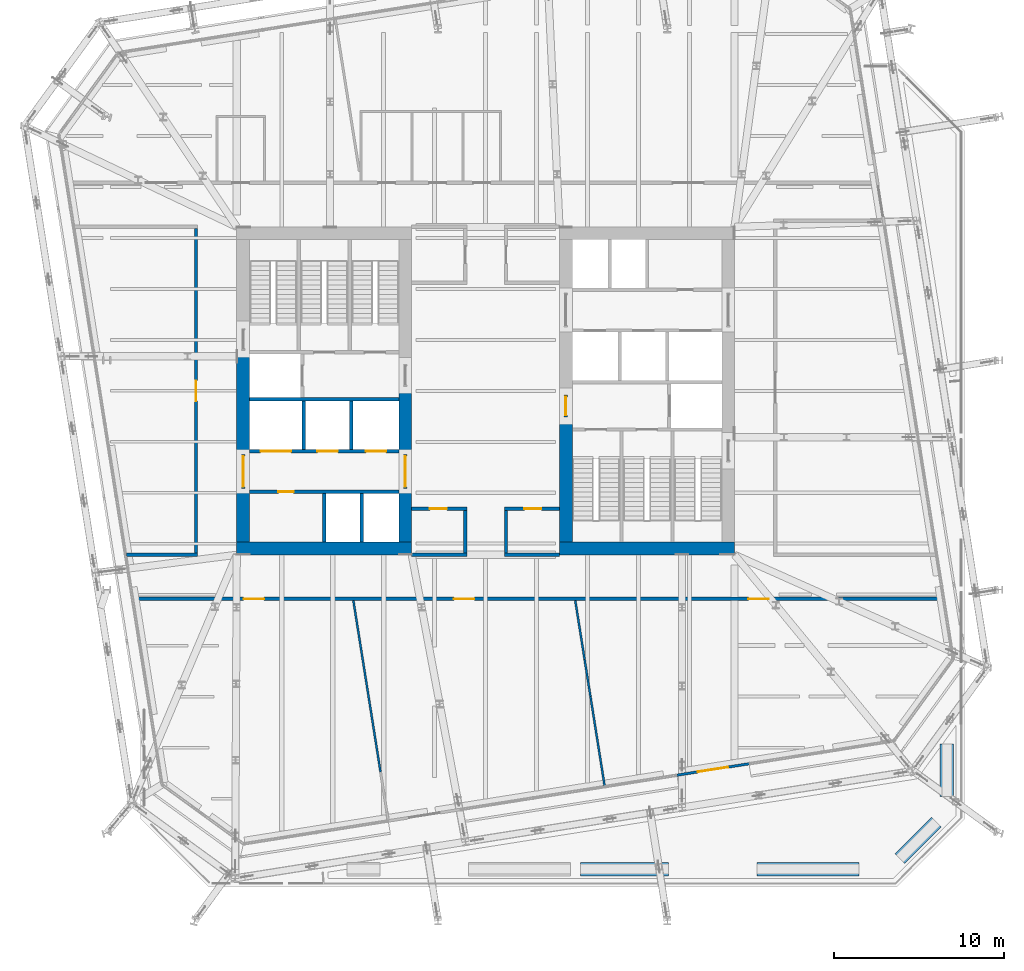
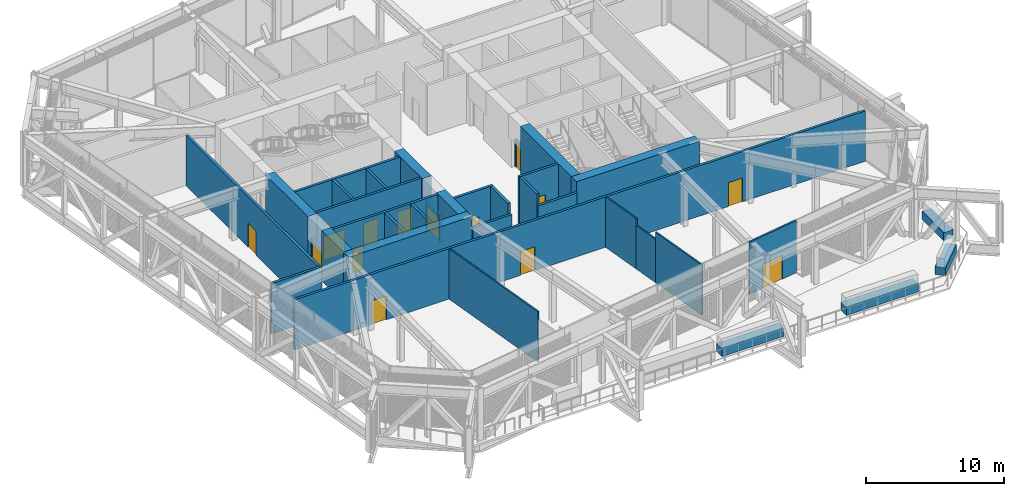
# One storey, part 19 of 32: 35 walls, 14 doors, 14 openings.
"""IFC4 building model written with IfcOpenShell, lengths in metres."""

import ifcopenshell
import ifcopenshell.guid

model = None  # the IFC model being written
_history = None  # IfcOwnerHistory: only IFC2X3 demands one
_inside = {}  # id of a spatial element -> (the spatial element, [elements in it])
_under = {}  # id of a project, library or spatial element -> (it, [spatial elements below it])
_declared = {}  # id of a project -> (the project, [libraries it declares])
_typed = {}  # id of a type object -> (the type object, [elements of that type])
_made_of = {}  # id of a material, layer set ... -> (it, [elements and type objects made of it])


def new_model(schema):
    """Start an empty IFC model of exactly this schema.

    Asked for "IFC4X3", IfcOpenShell would pick the latest addendum, in which some entities
    have other attributes; the version numbers below select the first issue.
    IFC2X3 requires an IfcOwnerHistory on every rooted entity: one is made here for all.
    """
    global model, _history
    if schema == "IFC4X3":
        model = ifcopenshell.file(schema_version=(4, 3, 0, 0))
    else:
        model = ifcopenshell.file(schema=schema)
    _inside.clear()
    _under.clear()
    _declared.clear()
    _typed.clear()
    _made_of.clear()
    _history = None
    if model.schema == "IFC2X3":
        org = make("IfcOrganization", Name="unknown")
        user = make(
            "IfcPersonAndOrganization",
            ThePerson=make("IfcPerson", FamilyName="unknown"),
            TheOrganization=org,
        )
        app = make(
            "IfcApplication",
            ApplicationDeveloper=org,
            Version="unknown",
            ApplicationFullName="unknown",
            ApplicationIdentifier="unknown",
        )
        _history = make(
            "IfcOwnerHistory",
            OwningUser=user,
            OwningApplication=app,
            ChangeAction="ADDED",
            CreationDate=0,
        )
    return model


def make(cls, **values):
    """One entity of the class cls with the attributes given. An attribute that is None is left unset."""
    return model.create_entity(
        cls, **{name: value for name, value in values.items() if value is not None}
    )


def rooted(cls, **values):
    """An entity with a GlobalId (a new one), such as an element, a storey or a relation."""
    return make(cls, GlobalId=ifcopenshell.guid.new(), OwnerHistory=_history, **values)


def si_unit(unit_type, name, prefix=None):
    """IfcSIUnit, for example si_unit("LENGTHUNIT", "METRE", prefix="MILLI")."""
    return make("IfcSIUnit", UnitType=unit_type, Prefix=prefix, Name=name)


def assignment(units):
    """IfcUnitAssignment: the units of a project."""
    return None if units is None else make("IfcUnitAssignment", Units=units)


def point(xyz):
    """IfcCartesianPoint."""
    return None if xyz is None else make("IfcCartesianPoint", Coordinates=xyz)


def direction(xyz):
    """IfcDirection."""
    return None if xyz is None else make("IfcDirection", DirectionRatios=xyz)


def frame(location, z_axis=None, x_axis=None):
    """IfcAxis2Placement3D, a coordinate frame: its origin and axes. An axis left out is left unset."""
    return make(
        "IfcAxis2Placement3D",
        Location=point(location),
        Axis=direction(z_axis),
        RefDirection=direction(x_axis),
    )


def frame_2d(location, x_axis=None):
    """IfcAxis2Placement2D, a coordinate frame in the plane: its origin and x axis."""
    return make(
        "IfcAxis2Placement2D", Location=point(location), RefDirection=direction(x_axis)
    )


def origin():
    """The frame at (0, 0, 0) with its axes left unset."""
    return frame((0.0, 0.0, 0.0))


def place(relative_to, where):
    """IfcLocalPlacement: puts the frame where relative to a parent placement (None: the world)."""
    return make(
        "IfcLocalPlacement", PlacementRelTo=relative_to, RelativePlacement=where
    )


def context(
    kind, dimensions, precision=None, world=None, true_north=None, identifier=None
):
    """IfcGeometricRepresentationContext, for example the 3D "Model" context."""
    return make(
        "IfcGeometricRepresentationContext",
        ContextIdentifier=identifier,
        ContextType=kind,
        CoordinateSpaceDimension=dimensions,
        Precision=precision,
        WorldCoordinateSystem=world,
        TrueNorth=true_north,
    )


def subcontext(parent, identifier, kind, view, scale=None):
    """IfcGeometricRepresentationSubContext, for example "Body" below "Model"."""
    return make(
        "IfcGeometricRepresentationSubContext",
        ContextIdentifier=identifier,
        ContextType=kind,
        ParentContext=parent,
        TargetScale=scale,
        TargetView=view,
    )


def project(units=None, contexts=None):
    """IfcProject with its units and contexts."""
    return rooted(
        "IfcProject",
        Name="project",
        RepresentationContexts=contexts,
        UnitsInContext=assignment(units),
    )


def spatial(cls, under=None, at=None, **own):
    """A site, building, storey or space (cls), placed at a placement, below another one or the project."""
    s = rooted(cls, ObjectPlacement=at, **own)
    if under is not None:
        _under.setdefault(under.id(), (under, []))[1].append(s)
    return s


def profile(cls, at=None, kind="AREA", **sizes):
    """A parametric profile (cls). Its sizes go by their IFC names, for example OverallWidth=200.0."""
    return make(cls, ProfileType=kind, Position=at, **sizes)


def rectangle(**sizes):
    """IfcRectangleProfileDef."""
    return profile("IfcRectangleProfileDef", **sizes)


def extrude(swept, where, along, depth):
    """IfcExtrudedAreaSolid: the profile swept, set in the frame where, extruded along a direction by depth."""
    return make(
        "IfcExtrudedAreaSolid",
        SweptArea=swept,
        Position=where,
        ExtrudedDirection=direction(along),
        Depth=depth,
    )


def shape(context_of_items, identifier, shape_type, items):
    """IfcShapeRepresentation: the items that make up one representation, for example the "Body"."""
    return make(
        "IfcShapeRepresentation",
        ContextOfItems=context_of_items,
        RepresentationIdentifier=identifier,
        RepresentationType=shape_type,
        Items=items,
    )


def material(Name=None, Category=None):
    """IfcMaterial."""
    return make("IfcMaterial", Name=Name, Category=Category)


def layer(
    of_material, thickness, ventilated=None, Name=None, Category=None, Priority=None
):
    """IfcMaterialLayer: one layer of a wall or slab, of a material (None: an air gap)."""
    return make(
        "IfcMaterialLayer",
        Material=of_material,
        LayerThickness=thickness,
        IsVentilated=ventilated,
        Name=Name,
        Category=Category,
        Priority=Priority,
    )


def layer_set(layers, Name=None):
    """IfcMaterialLayerSet."""
    return make("IfcMaterialLayerSet", MaterialLayers=layers, LayerSetName=Name)


def made_of(thing, what):
    """Note that an element or type object is made of a material, layer set ...; save() writes the relation."""
    if what is not None:
        _made_of.setdefault(what.id(), (what, []))[1].append(thing)
    return thing


def type_object(cls, material=None, **own):
    """A type object (cls), such as IfcWallType, which elements share."""
    return made_of(rooted(cls, **own), material)


def element(
    cls,
    number,
    at=None,
    inside=None,
    cuts=None,
    type_object=None,
    material=None,
    context=None,
    identifier="Body",
    shape_type=None,
    held_by="IfcProductDefinitionShape",
    body=None,
    shapes=None,
    **own,
):
    """One element of the class cls, such as IfcWall. Its Tag is "e" and its number.

    at: its placement. inside: the storey or other place that contains it. cuts: it is an
    opening in that element (IfcRelVoidsElement). A single representation is given by context,
    identifier, shape_type and body (its items); several are given by shapes. held_by: the class
    of the entity that holds the representations. save() writes the other relations.
    """
    e = rooted(cls, Tag="e%d" % number, ObjectPlacement=at, **own)
    if body is not None:
        shapes = [shape(context, identifier, shape_type, body)]
    if shapes is not None:
        e.Representation = make(held_by, Representations=shapes)
    if inside is not None:
        _inside.setdefault(inside.id(), (inside, []))[1].append(e)
    if cuts is not None:
        rooted(
            "IfcRelVoidsElement", RelatingBuildingElement=cuts, RelatedOpeningElement=e
        )
    if type_object is not None:
        _typed.setdefault(type_object.id(), (type_object, []))[1].append(e)
    return made_of(e, material)


def fill(opening, filler):
    """IfcRelFillsElement: the door or window that sits in an opening."""
    return rooted(
        "IfcRelFillsElement",
        RelatingOpeningElement=opening,
        RelatedBuildingElement=filler,
    )


def aggregate(whole, parts):
    """IfcRelAggregates: a whole, such as a stair, and the parts it consists of."""
    return rooted("IfcRelAggregates", RelatingObject=whole, RelatedObjects=parts)


def save(model, path):
    """Write the relations noted so far, then the file.

    IfcRelAggregates (storeys below a building ...), IfcRelContainedInSpatialStructure (elements
    in a storey), IfcRelDefinesByType, IfcRelAssociatesMaterial and IfcRelDeclares: one each for
    every whole, place, type object, material and project.
    """
    for whole, parts in _under.values():
        aggregate(whole, parts)
    for where, things in _inside.values():
        rooted(
            "IfcRelContainedInSpatialStructure",
            RelatedElements=things,
            RelatingStructure=where,
        )
    for kind, things in _typed.values():
        rooted("IfcRelDefinesByType", RelatedObjects=things, RelatingType=kind)
    for what, things in _made_of.values():
        rooted("IfcRelAssociatesMaterial", RelatedObjects=things, RelatingMaterial=what)
    for by, libraries in _declared.values():
        rooted("IfcRelDeclares", RelatingContext=by, RelatedDefinitions=libraries)
    model.write(path)


model = new_model("IFC4")

# Units and contexts
model_context = context("Model", 3, precision=1e-05, world=origin(), true_north=direction((0.0, 1.0)))
body_context = subcontext(model_context, "Body", "Model", "MODEL_VIEW")
ifc_project = project(units=[si_unit("LENGTHUNIT", "METRE"), si_unit("AREAUNIT", "SQUARE_METRE"), si_unit("VOLUMEUNIT", "CUBIC_METRE"), si_unit("PLANEANGLEUNIT", "RADIAN"), si_unit("MASSUNIT", "GRAM", prefix="KILO")], contexts=[model_context])

# Site, building, storey
site_placement = place(None, origin())
site = spatial("IfcSite", under=ifc_project, at=site_placement, CompositionType="ELEMENT")
building_placement = place(site_placement, origin())
building = spatial("IfcBuilding", under=site, at=building_placement, Name="Millrace Tower", CompositionType="ELEMENT")
storey_placement = place(building_placement, frame((0.0, 0.0, 124.89990234375)))
storey = spatial("IfcBuildingStorey", under=building, at=storey_placement, Name="L27", CompositionType="ELEMENT", Elevation=124.89990234375)

# Walls
ifc_material_1 = material(Name="Concrete C70", Category="concrete")
ifc_layer_1 = layer(ifc_material_1, 0.75)
ifc_layer_set_1 = layer_set([ifc_layer_1], Name="Concrete C70")
wall_type_1 = type_object("IfcWallType", Name="Core wall 750 Concrete C70", PredefinedType="SHEAR", material=ifc_layer_set_1)
wall_1_placement = place(storey_placement, frame((-14.64990234375, -9.27490234375, 0.0), z_axis=(0.0, 0.0, 1.0), x_axis=(1.0, 0.0, 0.0)))
element("IfcWall", 1, at=wall_1_placement, inside=storey, type_object=wall_type_1, Name="Core wall W L27", PredefinedType="SHEAR", context=body_context, shape_type="SweptSolid", body=[
    extrude(rectangle(XDim=10.2998046875, YDim=0.75, at=frame_2d((5.14990234375, 0.0))), origin(), (0.0, 0.0, 1.0), 4.440185546875),
])
wall_2_placement = place(storey_placement, frame((-14.27490234375, -8.89990234375, 0.0), z_axis=(0.0, 0.0, 1.0), x_axis=(0.0, 1.0, 0.0)))
element("IfcWall", 2, at=wall_2_placement, inside=storey, type_object=wall_type_1, Name="Core wall W L27", PredefinedType="SHEAR", context=body_context, shape_type="SweptSolid", body=[
    extrude(rectangle(XDim=3.14990234375, YDim=0.75, at=frame_2d((1.574951171875, 0.0))), origin(), (0.0, 0.0, 1.0), 4.440185546875),
])
wall_3_placement = place(storey_placement, frame((-14.27490234375, -3.75, 0.0), z_axis=(0.0, 0.0, 1.0), x_axis=(0.0, 1.0, 0.0)))
element("IfcWall", 3, at=wall_3_placement, inside=storey, type_object=wall_type_1, Name="Core wall W L27", PredefinedType="SHEAR", context=body_context, shape_type="SweptSolid", body=[
    extrude(rectangle(XDim=6.1298828125, YDim=0.75, at=frame_2d((3.06494140625, 0.0))), origin(), (0.0, 0.0, 1.0), 4.440185546875),
])
wall_4_placement = place(storey_placement, frame((-4.72509765625, -8.89990234375, 0.0), z_axis=(0.0, 0.0, 1.0), x_axis=(0.0, 1.0, 0.0)))
element("IfcWall", 4, at=wall_4_placement, inside=storey, type_object=wall_type_1, Name="Core wall W L27", PredefinedType="SHEAR", context=body_context, shape_type="SweptSolid", body=[
    extrude(rectangle(XDim=3.14990234375, YDim=0.75, at=frame_2d((1.574951171875, 0.0))), origin(), (0.0, 0.0, 1.0), 4.440185546875),
])
wall_5_placement = place(storey_placement, frame((-4.72509765625, -3.75, 0.0), z_axis=(0.0, 0.0, 1.0), x_axis=(0.0, 1.0, 0.0)))
element("IfcWall", 5, at=wall_5_placement, inside=storey, type_object=wall_type_1, Name="Core wall W L27", PredefinedType="SHEAR", context=body_context, shape_type="SweptSolid", body=[
    extrude(rectangle(XDim=4.0, YDim=0.75, at=frame_2d((2.0, 0.0))), origin(), (0.0, 0.0, 1.0), 4.440185546875),
])
wall_6_placement = place(storey_placement, frame((14.64990234375, -9.27490234375, 0.0), z_axis=(0.0, 0.0, 1.0), x_axis=(-1.0, 0.0, 0.0)))
element("IfcWall", 6, at=wall_6_placement, inside=storey, type_object=wall_type_1, Name="Core wall E L27", PredefinedType="SHEAR", context=body_context, shape_type="SweptSolid", body=[
    extrude(rectangle(XDim=10.2998046875, YDim=0.75, at=frame_2d((5.14990234375, 0.0))), origin(), (0.0, 0.0, 1.0), 4.440185546875),
])
wall_7_placement = place(storey_placement, frame((4.72509765625, -1.550048828125, 0.0), z_axis=(0.0, 0.0, 1.0), x_axis=(0.0, -1.0, 0.0)))
element("IfcWall", 7, at=wall_7_placement, inside=storey, type_object=wall_type_1, Name="Core wall E L27", PredefinedType="SHEAR", context=body_context, shape_type="SweptSolid", body=[
    extrude(rectangle(XDim=7.349853515625, YDim=0.75, at=frame_2d((3.6748046875, 0.0))), origin(), (0.0, 0.0, 1.0), 4.440185546875),
])

# Wall, openings, doors
ifc_material_2 = material(Name="Masonry partition, fire-rated", Category="masonry")
ifc_layer_2 = layer(ifc_material_2, 0.199951171875)
ifc_layer_set_2 = layer_set([ifc_layer_2], Name="Masonry partition, fire-rated")
wall_type_2 = type_object("IfcWallType", Name="Corridor wall 200", PredefinedType="PARTITIONING", material=ifc_layer_set_2)
wall_8_placement = place(storey_placement, frame((-20.738525390625, -12.25, 0.0), z_axis=(0.0, 0.0, 1.0), x_axis=(1.0, 0.0, 0.0)))
wall_8 = element("IfcWall", 8, at=wall_8_placement, inside=storey, type_object=wall_type_2, Name="Corridor wall L27", PredefinedType="PARTITIONING", context=body_context, shape_type="SweptSolid", body=[
    extrude(rectangle(XDim=47.646484375, YDim=0.199951171875, at=frame_2d((23.8232421875, 0.0))), origin(), (0.0, 0.0, 1.0), 4.440185546875),
])
opening_1_placement = place(wall_8_placement, frame((6.4951171875, 0.0, 0.0)))
opening_1 = element("IfcOpeningElement", 9, at=opening_1_placement, cuts=wall_8, Name="Opening 27-P009", PredefinedType="OPENING", context=body_context, shape_type="SweptSolid", body=[
    extrude(rectangle(XDim=1.199951171875, YDim=2.10009765625, at=frame_2d((0.60009765625, 1.050048828125))), frame((0.0, 0.10986328125, 0.0), z_axis=(0.0, -1.0, 0.0), x_axis=(1.0, 0.0, 0.0)), (0.0, 0.0, 1.0), 0.219970703125),
])
opening_2_placement = place(wall_8_placement, frame((18.8701171875, 0.0, 0.0)))
opening_2 = element("IfcOpeningElement", 10, at=opening_2_placement, cuts=wall_8, Name="Opening 27-P010", PredefinedType="OPENING", context=body_context, shape_type="SweptSolid", body=[
    extrude(rectangle(XDim=1.199951171875, YDim=2.10009765625, at=frame_2d((0.60009765625, 1.050048828125))), frame((0.0, 0.10986328125, 0.0), z_axis=(0.0, -1.0, 0.0), x_axis=(1.0, 0.0, 0.0)), (0.0, 0.0, 1.0), 0.219970703125),
])
opening_3_placement = place(wall_8_placement, frame((36.197998046875, 0.0, 0.0)))
opening_3 = element("IfcOpeningElement", 11, at=opening_3_placement, cuts=wall_8, Name="Opening 27-P011", PredefinedType="OPENING", context=body_context, shape_type="SweptSolid", body=[
    extrude(rectangle(XDim=1.199951171875, YDim=2.10009765625, at=frame_2d((0.60009765625, 1.050048828125))), frame((0.0, 0.10986328125, 0.0), z_axis=(0.0, -1.0, 0.0), x_axis=(1.0, 0.0, 0.0)), (0.0, 0.0, 1.0), 0.219970703125),
])
ifc_material_3 = material(Name="Steel door set, fire-rated", Category="steel")
door_type_1 = type_object("IfcDoorType", Name="Corridor door 1200 x 2100", OperationType="SINGLE_SWING_LEFT", PredefinedType="DOOR", material=ifc_material_3)
door_1_placement = place(opening_1_placement, origin())
door_1 = element("IfcDoor", 12, at=door_1_placement, inside=storey, type_object=door_type_1, Name="Door 27-P009", OperationType="SINGLE_SWING_LEFT", OverallHeight=2.10009765625, OverallWidth=1.199951171875, PredefinedType="DOOR", context=body_context, shape_type="SweptSolid", body=[
    extrude(rectangle(XDim=1.199951171875, YDim=2.10009765625, at=frame_2d((0.60009765625, 1.050048828125))), frame((0.0, 0.02490234375, 0.0), z_axis=(0.0, -1.0, 0.0), x_axis=(1.0, 0.0, 0.0)), (0.0, 0.0, 1.0), 0.050048828125),
])
fill(opening_1, door_1)
door_2_placement = place(opening_2_placement, origin())
door_2 = element("IfcDoor", 13, at=door_2_placement, inside=storey, type_object=door_type_1, Name="Door 27-P010", OperationType="SINGLE_SWING_LEFT", OverallHeight=2.10009765625, OverallWidth=1.199951171875, PredefinedType="DOOR", context=body_context, shape_type="SweptSolid", body=[
    extrude(rectangle(XDim=1.199951171875, YDim=2.10009765625, at=frame_2d((0.60009765625, 1.050048828125))), frame((0.0, 0.02490234375, 0.0), z_axis=(0.0, -1.0, 0.0), x_axis=(1.0, 0.0, 0.0)), (0.0, 0.0, 1.0), 0.050048828125),
])
fill(opening_2, door_2)
door_3_placement = place(opening_3_placement, origin())
door_3 = element("IfcDoor", 14, at=door_3_placement, inside=storey, type_object=door_type_1, Name="Door 27-P011", OperationType="SINGLE_SWING_RIGHT", OverallHeight=2.10009765625, OverallWidth=1.199951171875, PredefinedType="DOOR", context=body_context, shape_type="SweptSolid", body=[
    extrude(rectangle(XDim=1.199951171875, YDim=2.10009765625, at=frame_2d((0.60009765625, 1.050048828125))), frame((0.0, 0.02490234375, 0.0), z_axis=(0.0, -1.0, 0.0), x_axis=(1.0, 0.0, 0.0)), (0.0, 0.0, 1.0), 0.050048828125),
])
fill(opening_3, door_3)

# Walls
wall_9_placement = place(storey_placement, frame((-21.150390625, -9.64990234375, 0.0), z_axis=(0.0, 0.0, 1.0), x_axis=(1.0, 0.0, 0.0)))
element("IfcWall", 15, at=wall_9_placement, inside=storey, type_object=wall_type_2, Name="Corridor wall L27", PredefinedType="PARTITIONING", context=body_context, shape_type="SweptSolid", body=[
    extrude(rectangle(XDim=4.200439453125, YDim=0.199951171875, at=frame_2d((2.10009765625, 0.0))), origin(), (0.0, 0.0, 1.0), 4.440185546875),
])
for number, where, z_axis, x_axis, name in (
    (16, (-4.35009765625, -9.64990234375, 0.0), (0.0, 0.0, 1.0), (1.0, 0.0, 0.0), "Corridor wall L27"),
    (17, (1.10009765625, -9.64990234375, 0.0), (0.0, 0.0, 1.0), (1.0, 0.0, 0.0), "Corridor wall L27"),
):
    element("IfcWall", number, at=place(storey_placement, frame(where, z_axis=z_axis, x_axis=x_axis)), inside=storey, type_object=wall_type_2, Name=name, PredefinedType="PARTITIONING", context=body_context, shape_type="SweptSolid", body=[
        extrude(rectangle(XDim=3.25, YDim=0.199951171875, at=frame_2d((1.625, 0.0))), origin(), (0.0, 0.0, 1.0), 3.512939453125),
    ])

# Wall, opening, door
wall_10_placement = place(storey_placement, frame((-4.35009765625, -6.949951171875, 0.0), z_axis=(0.0, 0.0, 1.0), x_axis=(1.0, 0.0, 0.0)))
wall_10 = element("IfcWall", 18, at=wall_10_placement, inside=storey, type_object=wall_type_2, Name="Corridor wall L27", PredefinedType="PARTITIONING", context=body_context, shape_type="SweptSolid", body=[
    extrude(rectangle(XDim=3.25, YDim=0.199951171875, at=frame_2d((1.625, 0.0))), origin(), (0.0, 0.0, 1.0), 4.440185546875),
])
opening_4_placement = place(wall_10_placement, frame((1.074951171875, 0.0, 0.0)))
opening_4 = element("IfcOpeningElement", 19, at=opening_4_placement, cuts=wall_10, Name="Opening 27-P003", PredefinedType="OPENING", context=body_context, shape_type="SweptSolid", body=[
    extrude(rectangle(XDim=1.0, YDim=2.10009765625, at=frame_2d((0.5, 1.050048828125))), frame((0.0, 0.10986328125, 0.0), z_axis=(0.0, -1.0, 0.0), x_axis=(1.0, 0.0, 0.0)), (0.0, 0.0, 1.0), 0.219970703125),
])
ifc_material_4 = material(Name="Steel door set, fire-rated", Category="steel")
door_type_2 = type_object("IfcDoorType", Name="Corridor door 1000 x 2100", OperationType="SINGLE_SWING_LEFT", PredefinedType="DOOR", material=ifc_material_4)
door_4_placement = place(opening_4_placement, frame((1.0, 0.0, 0.0), z_axis=(0.0, 0.0, 1.0), x_axis=(-1.0, 0.0, 0.0)))
door_4 = element("IfcDoor", 20, at=door_4_placement, inside=storey, type_object=door_type_2, Name="Door 27-P003", OperationType="SINGLE_SWING_RIGHT", OverallHeight=2.10009765625, OverallWidth=1.0, PredefinedType="DOOR", context=body_context, shape_type="SweptSolid", body=[
    extrude(rectangle(XDim=1.0, YDim=2.10009765625, at=frame_2d((0.5, 1.050048828125))), frame((0.0, 0.02490234375, 0.0), z_axis=(0.0, -1.0, 0.0), x_axis=(1.0, 0.0, 0.0)), (0.0, 0.0, 1.0), 0.050048828125),
])
fill(opening_4, door_4)

wall_11_placement = place(storey_placement, frame((1.10009765625, -6.949951171875, 0.0), z_axis=(0.0, 0.0, 1.0), x_axis=(1.0, 0.0, 0.0)))
wall_11 = element("IfcWall", 21, at=wall_11_placement, inside=storey, type_object=wall_type_2, Name="Corridor wall L27", PredefinedType="PARTITIONING", context=body_context, shape_type="SweptSolid", body=[
    extrude(rectangle(XDim=3.25, YDim=0.199951171875, at=frame_2d((1.625, 0.0))), origin(), (0.0, 0.0, 1.0), 4.440185546875),
])
opening_5_placement = place(wall_11_placement, frame((1.175048828125, 0.0, 0.0)))
opening_5 = element("IfcOpeningElement", 22, at=opening_5_placement, cuts=wall_11, Name="Opening 27-P004", PredefinedType="OPENING", context=body_context, shape_type="SweptSolid", body=[
    extrude(rectangle(XDim=1.0, YDim=2.10009765625, at=frame_2d((0.5, 1.050048828125))), frame((0.0, 0.10986328125, 0.0), z_axis=(0.0, -1.0, 0.0), x_axis=(1.0, 0.0, 0.0)), (0.0, 0.0, 1.0), 0.219970703125),
])
door_5_placement = place(opening_5_placement, frame((1.0, 0.0, 0.0), z_axis=(0.0, 0.0, 1.0), x_axis=(-1.0, 0.0, 0.0)))
door_5 = element("IfcDoor", 23, at=door_5_placement, inside=storey, type_object=door_type_2, Name="Door 27-P004", OperationType="SINGLE_SWING_RIGHT", OverallHeight=2.10009765625, OverallWidth=1.0, PredefinedType="DOOR", context=body_context, shape_type="SweptSolid", body=[
    extrude(rectangle(XDim=1.0, YDim=2.10009765625, at=frame_2d((0.5, 1.050048828125))), frame((0.0, 0.02490234375, 0.0), z_axis=(0.0, -1.0, 0.0), x_axis=(1.0, 0.0, 0.0)), (0.0, 0.0, 1.0), 0.050048828125),
])
fill(opening_5, door_5)

# Walls
for number, where, z_axis, x_axis, name in (
    (24, (1.199951171875, -9.550048828125, 0.0), (0.0, 0.0, 1.0), (0.0, 1.0, 0.0), "Corridor wall L27"),
    (25, (-1.199951171875, -9.550048828125, 0.0), (0.0, 0.0, 1.0), (0.0, 1.0, 0.0), "Corridor wall L27"),
):
    element("IfcWall", number, at=place(storey_placement, frame(where, z_axis=z_axis, x_axis=x_axis)), inside=storey, type_object=wall_type_2, Name=name, PredefinedType="PARTITIONING", context=body_context, shape_type="SweptSolid", body=[
        extrude(rectangle(XDim=2.5, YDim=0.199951171875, at=frame_2d((1.25, 0.0))), origin(), (0.0, 0.0, 1.0), 4.440185546875),
    ])

# Wall, opening, door
wall_12_placement = place(storey_placement, frame((-17.050048828125, -9.550048828125, 0.0), z_axis=(0.0, 0.0, 1.0), x_axis=(0.0, 1.0, 0.0)))
wall_12 = element("IfcWall", 26, at=wall_12_placement, inside=storey, type_object=wall_type_2, Name="Corridor wall L27", PredefinedType="PARTITIONING", context=body_context, shape_type="SweptSolid", body=[
    extrude(rectangle(XDim=19.10009765625, YDim=0.199951171875, at=frame_2d((9.550048828125, 0.0))), origin(), (0.0, 0.0, 1.0), 4.440185546875),
])
opening_6_placement = place(wall_12_placement, frame((8.949951171875, 0.0, 0.0)))
opening_6 = element("IfcOpeningElement", 27, at=opening_6_placement, cuts=wall_12, Name="Opening 27-P012", PredefinedType="OPENING", context=body_context, shape_type="SweptSolid", body=[
    extrude(rectangle(XDim=1.199951171875, YDim=2.10009765625, at=frame_2d((0.60009765625, 1.050048828125))), frame((0.0, 0.10986328125, 0.0), z_axis=(0.0, -1.0, 0.0), x_axis=(1.0, 0.0, 0.0)), (0.0, 0.0, 1.0), 0.219970703125),
])
door_6_placement = place(opening_6_placement, origin())
door_6 = element("IfcDoor", 28, at=door_6_placement, inside=storey, type_object=door_type_1, Name="Door 27-P012", OperationType="SINGLE_SWING_RIGHT", OverallHeight=2.10009765625, OverallWidth=1.199951171875, PredefinedType="DOOR", context=body_context, shape_type="SweptSolid", body=[
    extrude(rectangle(XDim=1.199951171875, YDim=2.10009765625, at=frame_2d((0.60009765625, 1.050048828125))), frame((0.0, 0.02490234375, 0.0), z_axis=(0.0, -1.0, 0.0), x_axis=(1.0, 0.0, 0.0)), (0.0, 0.0, 1.0), 0.050048828125),
])
fill(opening_6, door_6)

ifc_material_5 = material(Name="Aluminium framed glazing", Category="aluminium")
ifc_layer_3 = layer(ifc_material_5, 0.14990234375)
ifc_layer_set_3 = layer_set([ifc_layer_3], Name="Aluminium framed glazing")
wall_type_3 = type_object("IfcWallType", Name="Entrance infill wall 150 thick", PredefinedType="STANDARD", material=ifc_layer_set_3)
wall_13_placement = place(storey_placement, frame((11.258544921875, -22.625732421875, 0.0), z_axis=(0.0, 0.0, 1.0), x_axis=(0.987687570006, 0.156439330274, 0.0)))
wall_13 = element("IfcWall", 29, at=wall_13_placement, inside=storey, type_object=wall_type_3, Name="Entrance infill wall C-F02 7", PredefinedType="STANDARD", context=body_context, shape_type="SweptSolid", body=[
    extrude(rectangle(XDim=4.364990234375, YDim=0.14990234375, at=frame_2d((2.1826171875, 0.0))), origin(), (0.0, 0.0, 1.0), 4.60009765625),
])
opening_7_placement = place(wall_13_placement, frame((1.25, 0.0, 0.0)))
opening_7 = element("IfcOpeningElement", 30, at=opening_7_placement, cuts=wall_13, Name="Opening 27-X002", PredefinedType="OPENING", context=body_context, shape_type="SweptSolid", body=[
    extrude(rectangle(XDim=1.800048828125, YDim=2.10009765625, at=frame_2d((0.89990234375, 1.050048828125))), frame((0.0, 0.0849609375, 0.0), z_axis=(0.0, -1.0, 0.0), x_axis=(1.0, 0.0, 0.0)), (0.0, 0.0, 1.0), 0.169921875),
])
ifc_material_6 = material(Name="Aluminium and glass", Category="aluminium")
door_type_3 = type_object("IfcDoorType", Name="Terrace double door", OperationType="DOUBLE_DOOR_DOUBLE_SWING", PredefinedType="DOOR", material=ifc_material_6)
door_7_placement = place(opening_7_placement, frame((1.800048828125, 0.0, 0.0), z_axis=(0.0, 0.0, 1.0), x_axis=(-1.0, 0.0, 0.0)))
door_7 = element("IfcDoor", 31, at=door_7_placement, inside=storey, type_object=door_type_3, Name="27-X002", OperationType="DOUBLE_DOOR_DOUBLE_SWING", OverallHeight=2.10009765625, OverallWidth=1.800048828125, PredefinedType="DOOR", context=body_context, shape_type="SweptSolid", body=[
    extrude(rectangle(XDim=1.800048828125, YDim=2.10009765625, at=frame_2d((0.89990234375, 1.050048828125))), frame((0.0, 0.02490234375, 0.0), z_axis=(0.0, -1.0, 0.0), x_axis=(1.0, 0.0, 0.0)), (0.0, 0.0, 1.0), 0.050048828125),
])
fill(opening_7, door_7)

ifc_material_7 = material(Name="Masonry partition, fire-rated", Category="masonry")
ifc_layer_4 = layer(ifc_material_7, 0.199951171875)
ifc_layer_set_4 = layer_set([ifc_layer_4], Name="Masonry partition, fire-rated")
wall_type_4 = type_object("IfcWallType", Name="Lift shaft wall 200", PredefinedType="PARTITIONING", material=ifc_layer_set_4)
wall_14_placement = place(storey_placement, frame((-13.89990234375, -5.949951171875, 0.0), z_axis=(0.0, 0.0, 1.0), x_axis=(1.0, 0.0, 0.0)))
wall_14 = element("IfcWall", 32, at=wall_14_placement, inside=storey, type_object=wall_type_4, Name="Lift shaft wall W L27", PredefinedType="PARTITIONING", context=body_context, shape_type="SweptSolid", body=[
    extrude(rectangle(XDim=8.7998046875, YDim=0.199951171875, at=frame_2d((4.39990234375, 0.0))), origin(), (0.0, 0.0, 1.0), 4.440185546875),
])
opening_8_placement = place(wall_14_placement, frame((1.699951171875, 0.0, 0.0)))
opening_8 = element("IfcOpeningElement", 33, at=opening_8_placement, cuts=wall_14, Name="Opening 27-C005", PredefinedType="OPENING", context=body_context, shape_type="SweptSolid", body=[
    extrude(rectangle(XDim=0.89990234375, YDim=2.10009765625, at=frame_2d((0.449951171875, 1.050048828125))), frame((0.0, 0.10986328125, 0.0), z_axis=(0.0, -1.0, 0.0), x_axis=(1.0, 0.0, 0.0)), (0.0, 0.0, 1.0), 0.219970703125),
])
ifc_material_8 = material(Name="Steel door, fire-rated", Category="steel")
door_type_4 = type_object("IfcDoorType", Name="Service room door 900 x 2100", OperationType="SINGLE_SWING_LEFT", PredefinedType="DOOR", material=ifc_material_8)
door_8_placement = place(opening_8_placement, frame((0.89990234375, 0.0, 0.0), z_axis=(0.0, 0.0, 1.0), x_axis=(-1.0, 0.0, 0.0)))
door_8 = element("IfcDoor", 34, at=door_8_placement, inside=storey, type_object=door_type_4, Name="Service room door 27-C005", OperationType="SINGLE_SWING_RIGHT", OverallHeight=2.10009765625, OverallWidth=0.89990234375, PredefinedType="DOOR", context=body_context, shape_type="SweptSolid", body=[
    extrude(rectangle(XDim=0.89990234375, YDim=2.10009765625, at=frame_2d((0.449951171875, 1.050048828125))), frame((0.0, 0.02490234375, 0.0), z_axis=(0.0, -1.0, 0.0), x_axis=(1.0, 0.0, 0.0)), (0.0, 0.0, 1.0), 0.050048828125),
])
fill(opening_8, door_8)

# Wall, openings, doors
wall_15_placement = place(storey_placement, frame((-13.89990234375, -3.550048828125, 0.0), z_axis=(0.0, 0.0, 1.0), x_axis=(1.0, 0.0, 0.0)))
wall_15 = element("IfcWall", 35, at=wall_15_placement, inside=storey, type_object=wall_type_4, Name="Lift shaft wall W L27", PredefinedType="PARTITIONING", context=body_context, shape_type="SweptSolid", body=[
    extrude(rectangle(XDim=8.7998046875, YDim=0.199951171875, at=frame_2d((4.39990234375, 0.0))), origin(), (0.0, 0.0, 1.0), 4.440185546875),
])
opening_9_placement = place(wall_15_placement, frame((0.64990234375, 0.0, 0.0)))
opening_9 = element("IfcOpeningElement", 36, at=opening_9_placement, cuts=wall_15, Name="Opening 27-LD05", PredefinedType="OPENING", context=body_context, shape_type="SweptSolid", body=[
    extrude(rectangle(XDim=1.800048828125, YDim=2.10009765625, at=frame_2d((0.89990234375, 1.050048828125))), frame((0.0, 0.10986328125, 0.0), z_axis=(0.0, -1.0, 0.0), x_axis=(1.0, 0.0, 0.0)), (0.0, 0.0, 1.0), 0.219970703125),
])
opening_10_placement = place(wall_15_placement, frame((4.0, 0.0, 0.0)))
opening_10 = element("IfcOpeningElement", 37, at=opening_10_placement, cuts=wall_15, Name="Opening 27-LD06", PredefinedType="OPENING", context=body_context, shape_type="SweptSolid", body=[
    extrude(rectangle(XDim=1.199951171875, YDim=2.10009765625, at=frame_2d((0.60009765625, 1.050048828125))), frame((0.0, 0.10986328125, 0.0), z_axis=(0.0, -1.0, 0.0), x_axis=(1.0, 0.0, 0.0)), (0.0, 0.0, 1.0), 0.219970703125),
])
opening_11_placement = place(wall_15_placement, frame((6.85009765625, 0.0, 0.0)))
opening_11 = element("IfcOpeningElement", 38, at=opening_11_placement, cuts=wall_15, Name="Opening 27-LD07", PredefinedType="OPENING", context=body_context, shape_type="SweptSolid", body=[
    extrude(rectangle(XDim=1.199951171875, YDim=2.10009765625, at=frame_2d((0.60009765625, 1.050048828125))), frame((0.0, 0.10986328125, 0.0), z_axis=(0.0, -1.0, 0.0), x_axis=(1.0, 0.0, 0.0)), (0.0, 0.0, 1.0), 0.219970703125),
])
ifc_material_9 = material(Name="Stainless steel, fire-rated", Category="steel")
door_type_5 = type_object("IfcDoorType", Name="Lift landing door 1200 x 2100", OperationType="DOUBLE_DOOR_SLIDING", PredefinedType="DOOR", material=ifc_material_9)
door_9_placement = place(opening_10_placement, origin())
door_9 = element("IfcDoor", 39, at=door_9_placement, inside=storey, type_object=door_type_5, Name="Lift landing door LF6 L27", OperationType="DOUBLE_DOOR_SLIDING", OverallHeight=2.10009765625, OverallWidth=1.199951171875, PredefinedType="DOOR", context=body_context, shape_type="SweptSolid", body=[
    extrude(rectangle(XDim=1.199951171875, YDim=2.10009765625, at=frame_2d((0.60009765625, 1.050048828125))), frame((0.0, 0.02490234375, 0.0), z_axis=(0.0, -1.0, 0.0), x_axis=(1.0, 0.0, 0.0)), (0.0, 0.0, 1.0), 0.050048828125),
])
fill(opening_10, door_9)
door_10_placement = place(opening_11_placement, origin())
door_10 = element("IfcDoor", 40, at=door_10_placement, inside=storey, type_object=door_type_5, Name="Lift landing door LF7 L27", OperationType="DOUBLE_DOOR_SLIDING", OverallHeight=2.10009765625, OverallWidth=1.199951171875, PredefinedType="DOOR", context=body_context, shape_type="SweptSolid", body=[
    extrude(rectangle(XDim=1.199951171875, YDim=2.10009765625, at=frame_2d((0.60009765625, 1.050048828125))), frame((0.0, 0.02490234375, 0.0), z_axis=(0.0, -1.0, 0.0), x_axis=(1.0, 0.0, 0.0)), (0.0, 0.0, 1.0), 0.050048828125),
])
fill(opening_11, door_10)
ifc_material_10 = material(Name="Stainless steel, fire-rated", Category="steel")
door_type_6 = type_object("IfcDoorType", Name="Lift landing door 1800 x 2100", OperationType="DOUBLE_DOOR_SLIDING", PredefinedType="DOOR", material=ifc_material_10)
door_11_placement = place(opening_9_placement, origin())
door_11 = element("IfcDoor", 41, at=door_11_placement, inside=storey, type_object=door_type_6, Name="Lift landing door LF5 L27", OperationType="DOUBLE_DOOR_SLIDING", OverallHeight=2.10009765625, OverallWidth=1.800048828125, PredefinedType="DOOR", context=body_context, shape_type="SweptSolid", body=[
    extrude(rectangle(XDim=1.800048828125, YDim=2.10009765625, at=frame_2d((0.89990234375, 1.050048828125))), frame((0.0, 0.02490234375, 0.0), z_axis=(0.0, -1.0, 0.0), x_axis=(1.0, 0.0, 0.0)), (0.0, 0.0, 1.0), 0.050048828125),
])
fill(opening_9, door_11)

# Walls
wall_16_placement = place(storey_placement, frame((-13.89990234375, -0.5, 0.0), z_axis=(0.0, 0.0, 1.0), x_axis=(1.0, 0.0, 0.0)))
element("IfcWall", 42, at=wall_16_placement, inside=storey, type_object=wall_type_4, Name="Lift shaft wall W L27", PredefinedType="PARTITIONING", context=body_context, shape_type="SweptSolid", body=[
    extrude(rectangle(XDim=8.7998046875, YDim=0.199951171875, at=frame_2d((4.39990234375, 0.0))), origin(), (0.0, 0.0, 1.0), 4.440185546875),
])
for number, where, z_axis, x_axis, name in (
    (43, (-9.5, -8.89990234375, 0.0), (0.0, 0.0, 1.0), (0.0, 1.0, 0.0), "Lift shaft wall W L27"),
    (44, (-7.300048828125, -8.89990234375, 0.0), (0.0, 0.0, 1.0), (0.0, 1.0, 0.0), "Lift shaft wall W L27"),
    (45, (-10.699951171875, -3.449951171875, 0.0), (0.0, 0.0, 1.0), (0.0, 1.0, 0.0), "Lift shaft wall W L27"),
    (46, (-7.89990234375, -3.449951171875, 0.0), (0.0, 0.0, 1.0), (0.0, 1.0, 0.0), "Lift shaft wall W L27"),
):
    element("IfcWall", number, at=place(storey_placement, frame(where, z_axis=z_axis, x_axis=x_axis)), inside=storey, type_object=wall_type_4, Name=name, PredefinedType="PARTITIONING", context=body_context, shape_type="SweptSolid", body=[
        extrude(rectangle(XDim=2.849853515625, YDim=0.199951171875, at=frame_2d((1.4248046875, 0.0))), origin(), (0.0, 0.0, 1.0), 4.440185546875),
    ])

# Wall, opening, door
ifc_material_11 = material(Name="Masonry partition, fire-rated", Category="masonry")
ifc_layer_5 = layer(ifc_material_11, 0.199951171875)
ifc_layer_set_5 = layer_set([ifc_layer_5], Name="Masonry partition, fire-rated")
wall_type_5 = type_object("IfcWallType", Name="Lobby wall 200", PredefinedType="PARTITIONING", material=ifc_layer_set_5)
wall_17_placement = place(storey_placement, frame((-14.27490234375, -5.75, 0.0), z_axis=(0.0, 0.0, 1.0), x_axis=(0.0, 1.0, 0.0)))
wall_17 = element("IfcWall", 47, at=wall_17_placement, inside=storey, type_object=wall_type_5, Name="Lobby wall W L27", PredefinedType="PARTITIONING", context=body_context, shape_type="SweptSolid", body=[
    extrude(rectangle(XDim=2.0, YDim=0.199951171875, at=frame_2d((1.0, 0.0))), origin(), (0.0, 0.0, 1.0), 2.400146484375),
])
opening_12_placement = place(wall_17_placement, frame((0.10009765625, 0.0, 0.0)))
opening_12 = element("IfcOpeningElement", 48, at=opening_12_placement, cuts=wall_17, Name="Opening 27-C001", PredefinedType="OPENING", context=body_context, shape_type="SweptSolid", body=[
    extrude(rectangle(XDim=1.800048828125, YDim=2.10009765625, at=frame_2d((0.89990234375, 1.050048828125))), frame((0.0, 0.10986328125, 0.0), z_axis=(0.0, -1.0, 0.0), x_axis=(1.0, 0.0, 0.0)), (0.0, 0.0, 1.0), 0.219970703125),
])
ifc_material_12 = material(Name="Steel door, fire-rated", Category="steel")
door_type_7 = type_object("IfcDoorType", Name="Lobby door 1800 x 2100", OperationType="DOUBLE_DOOR_SINGLE_SWING", PredefinedType="DOOR", material=ifc_material_12)
door_12_placement = place(opening_12_placement, origin())
door_12 = element("IfcDoor", 49, at=door_12_placement, inside=storey, type_object=door_type_7, Name="Lobby door 27-C001", OperationType="DOUBLE_DOOR_SINGLE_SWING", OverallHeight=2.10009765625, OverallWidth=1.800048828125, PredefinedType="DOOR", context=body_context, shape_type="SweptSolid", body=[
    extrude(rectangle(XDim=1.800048828125, YDim=2.10009765625, at=frame_2d((0.89990234375, 1.050048828125))), frame((0.0, 0.02490234375, 0.0), z_axis=(0.0, -1.0, 0.0), x_axis=(1.0, 0.0, 0.0)), (0.0, 0.0, 1.0), 0.050048828125),
])
fill(opening_12, door_12)

wall_18_placement = place(storey_placement, frame((-4.72509765625, -5.75, 0.0), z_axis=(0.0, 0.0, 1.0), x_axis=(0.0, 1.0, 0.0)))
wall_18 = element("IfcWall", 50, at=wall_18_placement, inside=storey, type_object=wall_type_5, Name="Lobby wall W L27", PredefinedType="PARTITIONING", context=body_context, shape_type="SweptSolid", body=[
    extrude(rectangle(XDim=2.0, YDim=0.199951171875, at=frame_2d((1.0, 0.0))), origin(), (0.0, 0.0, 1.0), 2.400146484375),
])
opening_13_placement = place(wall_18_placement, frame((0.10009765625, 0.0, 0.0)))
opening_13 = element("IfcOpeningElement", 51, at=opening_13_placement, cuts=wall_18, Name="Opening 27-C003", PredefinedType="OPENING", context=body_context, shape_type="SweptSolid", body=[
    extrude(rectangle(XDim=1.800048828125, YDim=2.10009765625, at=frame_2d((0.89990234375, 1.050048828125))), frame((0.0, 0.10986328125, 0.0), z_axis=(0.0, -1.0, 0.0), x_axis=(1.0, 0.0, 0.0)), (0.0, 0.0, 1.0), 0.219970703125),
])
door_13_placement = place(opening_13_placement, origin())
door_13 = element("IfcDoor", 52, at=door_13_placement, inside=storey, type_object=door_type_7, Name="Lobby door 27-C003", OperationType="DOUBLE_DOOR_SINGLE_SWING", OverallHeight=2.10009765625, OverallWidth=1.800048828125, PredefinedType="DOOR", context=body_context, shape_type="SweptSolid", body=[
    extrude(rectangle(XDim=1.800048828125, YDim=2.10009765625, at=frame_2d((0.89990234375, 1.050048828125))), frame((0.0, 0.02490234375, 0.0), z_axis=(0.0, -1.0, 0.0), x_axis=(1.0, 0.0, 0.0)), (0.0, 0.0, 1.0), 0.050048828125),
])
fill(opening_13, door_13)

wall_19_placement = place(storey_placement, frame((4.72509765625, -0.25, 0.0), z_axis=(0.0, 0.0, 1.0), x_axis=(0.0, -1.0, 0.0)))
wall_19 = element("IfcWall", 53, at=wall_19_placement, inside=storey, type_object=wall_type_5, Name="Lobby wall E L27", PredefinedType="PARTITIONING", context=body_context, shape_type="SweptSolid", body=[
    extrude(rectangle(XDim=1.300048828125, YDim=0.199951171875, at=frame_2d((0.64990234375, 0.0))), origin(), (0.0, 0.0, 1.0), 2.400146484375),
])
opening_14_placement = place(wall_19_placement, frame((0.10009765625, 0.0, 0.0)))
opening_14 = element("IfcOpeningElement", 54, at=opening_14_placement, cuts=wall_19, Name="Opening 27-C011", PredefinedType="OPENING", context=body_context, shape_type="SweptSolid", body=[
    extrude(rectangle(XDim=1.10009765625, YDim=2.10009765625, at=frame_2d((0.550048828125, 1.050048828125))), frame((0.0, 0.10986328125, 0.0), z_axis=(0.0, -1.0, 0.0), x_axis=(1.0, 0.0, 0.0)), (0.0, 0.0, 1.0), 0.219970703125),
])
ifc_material_13 = material(Name="Steel door, fire-rated", Category="steel")
door_type_8 = type_object("IfcDoorType", Name="Lobby door 1100 x 2100", OperationType="SINGLE_SWING_LEFT", PredefinedType="DOOR", material=ifc_material_13)
door_14_placement = place(opening_14_placement, origin())
door_14 = element("IfcDoor", 55, at=door_14_placement, inside=storey, type_object=door_type_8, Name="Lobby door 27-C011", OperationType="SINGLE_SWING_LEFT", OverallHeight=2.10009765625, OverallWidth=1.10009765625, PredefinedType="DOOR", context=body_context, shape_type="SweptSolid", body=[
    extrude(rectangle(XDim=1.10009765625, YDim=2.10009765625, at=frame_2d((0.550048828125, 1.050048828125))), frame((0.0, 0.02490234375, 0.0), z_axis=(0.0, -1.0, 0.0), x_axis=(1.0, 0.0, 0.0)), (0.0, 0.0, 1.0), 0.050048828125),
])
fill(opening_14, door_14)

# Walls
ifc_material_14 = material(Name="Concrete C40", Category="concrete")
ifc_layer_6 = layer(ifc_material_14, 0.800048828125)
ifc_layer_set_6 = layer_set([ifc_layer_6], Name="Concrete C40")
wall_type_6 = type_object("IfcWallType", Name="PLANTER raised bed 700 high x 800 thick", PredefinedType="STANDARD", material=ifc_layer_set_6)
wall_20_placement = place(storey_placement, frame((5.58203125, -28.14990234375, 0.0400390625), z_axis=(0.0, 0.0, 1.0), x_axis=(1.0, 0.0, 0.0)))
element("IfcWall", 56, at=wall_20_placement, inside=storey, type_object=wall_type_6, Name="PLANTER raised bed T-L26-1 1.1.2", PredefinedType="STANDARD", context=body_context, shape_type="SweptSolid", body=[
    extrude(rectangle(XDim=5.188232421875, YDim=0.800048828125, at=frame_2d((2.59423828125, 0.0))), origin(), (0.0, 0.0, 1.0), 0.699951171875),
])
wall_21_placement = place(storey_placement, frame((15.97021484375, -28.14990234375, 0.0400390625), z_axis=(0.0, 0.0, 1.0), x_axis=(1.0, 0.0, 0.0)))
element("IfcWall", 57, at=wall_21_placement, inside=storey, type_object=wall_type_6, Name="PLANTER raised bed T-L26-1 1.1.3", PredefinedType="STANDARD", context=body_context, shape_type="SweptSolid", body=[
    extrude(rectangle(XDim=6.0, YDim=0.800048828125, at=frame_2d((3.0, 0.0))), origin(), (0.0, 0.0, 1.0), 0.699951171875),
])
wall_22_placement = place(storey_placement, frame((24.3818359375, -27.533203125, 0.0400390625), z_axis=(0.0, 0.0, 1.0), x_axis=(0.707106781187, 0.707106781187, 0.0)))
element("IfcWall", 58, at=wall_22_placement, inside=storey, type_object=wall_type_6, Name="PLANTER raised bed T-L26-1 1.2.0", PredefinedType="STANDARD", context=body_context, shape_type="SweptSolid", body=[
    extrude(rectangle(XDim=3.04248046875, YDim=0.800048828125, at=frame_2d((1.521240234375, 0.0))), origin(), (0.0, 0.0, 1.0), 0.699951171875),
])
wall_23_placement = place(storey_placement, frame((27.14990234375, -23.892822265625, 0.0400390625), z_axis=(0.0, 0.0, 1.0), x_axis=(0.0, 1.0, 0.0)))
element("IfcWall", 59, at=wall_23_placement, inside=storey, type_object=wall_type_6, Name="PLANTER raised bed T-L26-1 1.3.0", PredefinedType="STANDARD", context=body_context, shape_type="SweptSolid", body=[
    extrude(rectangle(XDim=3.114990234375, YDim=0.800048828125, at=frame_2d((1.5576171875, 0.0))), origin(), (0.0, 0.0, 1.0), 0.699951171875),
])
ifc_material_15 = material(Name="Gypsum board partition")
ifc_layer_7 = layer(ifc_material_15, 0.1201171875)
ifc_layer_set_7 = layer_set([ifc_layer_7], Name="Gypsum board partition")
wall_type_7 = type_object("IfcWallType", Name="Partition wall 120", PredefinedType="PARTITIONING", material=ifc_layer_set_7)
wall_24_placement = place(storey_placement, frame((-7.783447265625, -12.348876953125, 0.0), z_axis=(0.0, 0.0, 1.0), x_axis=(0.156393779692, -0.987694783662, 0.0)))
element("IfcWall", 60, at=wall_24_placement, inside=storey, type_object=wall_type_7, Name="Partition wall L27", PredefinedType="PARTITIONING", context=body_context, shape_type="SweptSolid", body=[
    extrude(rectangle(XDim=10.20458984375, YDim=0.1201171875, at=frame_2d((5.102294921875, 0.0))), origin(), (0.0, 0.0, 1.0), 4.440185546875),
])
wall_25_placement = place(storey_placement, frame((5.277587890625, -12.348876953125, 0.0), z_axis=(0.0, 0.0, 1.0), x_axis=(0.156473456413, -0.987682164179, 0.0)))
element("IfcWall", 61, at=wall_25_placement, inside=storey, type_object=wall_type_7, Name="Partition wall L27", PredefinedType="PARTITIONING", context=body_context, shape_type="SweptSolid", body=[
    extrude(rectangle(XDim=3.509033203125, YDim=0.1201171875, at=frame_2d((1.75439453125, 0.0))), origin(), (0.0, 0.0, 1.0), 4.440185546875),
])
wall_26_placement = place(storey_placement, frame((5.82666015625, -15.814697265625, 0.0), z_axis=(0.0, 0.0, 1.0), x_axis=(0.156341363977, -0.987703081857, 0.0)))
element("IfcWall", 62, at=wall_26_placement, inside=storey, type_object=wall_type_7, Name="Partition wall L27", PredefinedType="PARTITIONING", context=body_context, shape_type="SweptSolid", body=[
    extrude(rectangle(XDim=2.217529296875, YDim=0.1201171875, at=frame_2d((1.10888671875, 0.0))), origin(), (0.0, 0.0, 1.0), 3.8330078125),
])
wall_27_placement = place(storey_placement, frame((6.17333984375, -18.0048828125, 0.0), z_axis=(0.0, 0.0, 1.0), x_axis=(0.156422568161, -0.987690224802, 0.0)))
element("IfcWall", 63, at=wall_27_placement, inside=storey, type_object=wall_type_7, Name="Partition wall L27", PredefinedType="PARTITIONING", context=body_context, shape_type="SweptSolid", body=[
    extrude(rectangle(XDim=5.314453125, YDim=0.1201171875, at=frame_2d((2.6572265625, 0.0))), origin(), (0.0, 0.0, 1.0), 4.440185546875),
])

save(model, "model.ifc")
